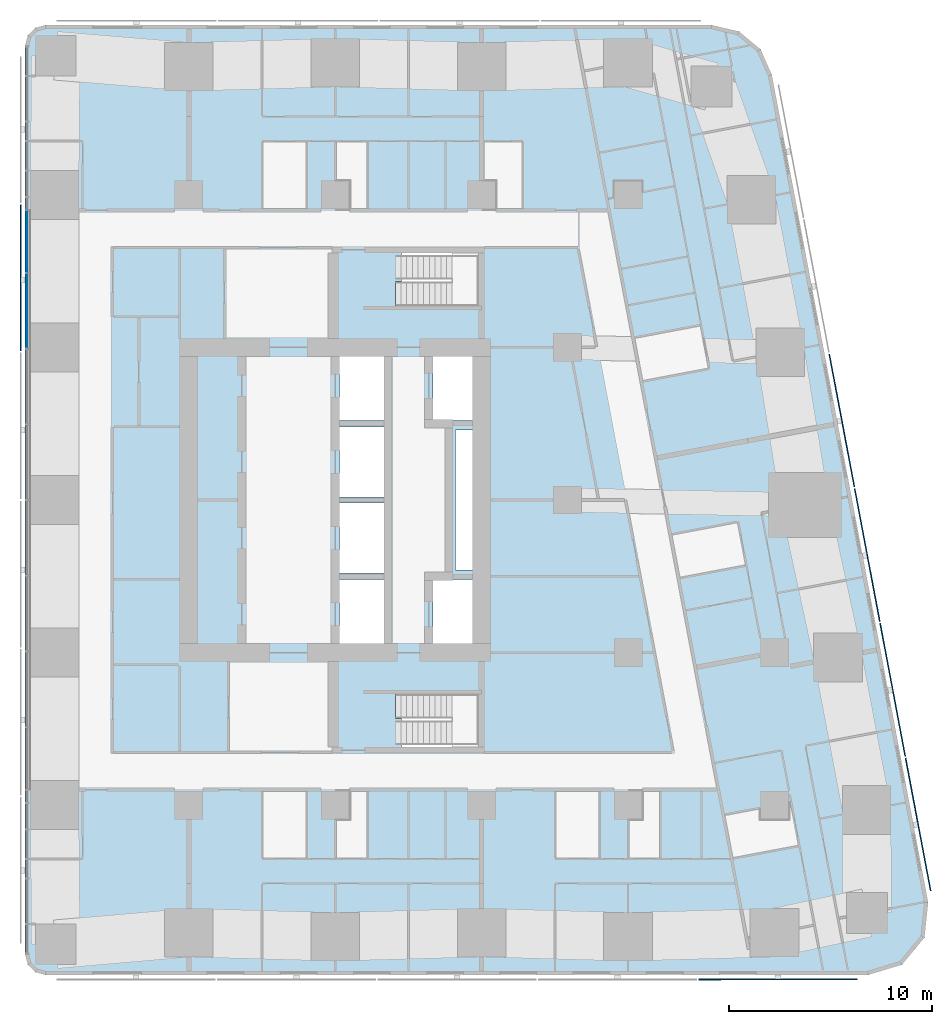
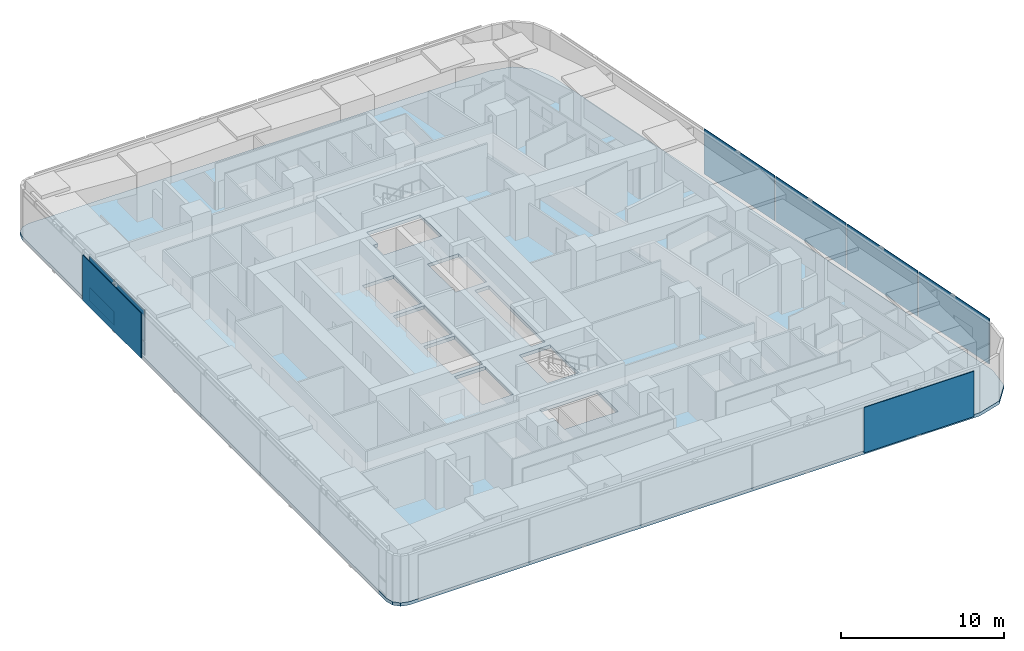
# One storey, part 8 of 19: 10 plates, 1 slab, 1 element without a shape of its own.
"""IFC4 building model written with IfcOpenShell, lengths in metres."""

from ifc_helpers import new_model, si_unit, direction, frame, origin, origin_2d, place, context, subcontext, project, spatial, polyline, rectangle, outline, extrude, material, layer, layer_set, type_object, element, aggregate, save


model = new_model("IFC4")

# Units and contexts
model_context = context("Model", 3, precision=1e-05, world=origin(), true_north=direction((0.0, 1.0)))
body_context = subcontext(model_context, "Body", "Model", "MODEL_VIEW")
ifc_project = project(units=[si_unit("LENGTHUNIT", "METRE"), si_unit("AREAUNIT", "SQUARE_METRE"), si_unit("VOLUMEUNIT", "CUBIC_METRE"), si_unit("PLANEANGLEUNIT", "RADIAN"), si_unit("MASSUNIT", "GRAM", prefix="KILO")], contexts=[model_context])

# Site, building, storey
site_placement = place(None, origin())
site = spatial("IfcSite", under=ifc_project, at=site_placement, CompositionType="ELEMENT")
building_placement = place(site_placement, origin())
building = spatial("IfcBuilding", under=site, at=building_placement, Name="Sheger Commons Tower", CompositionType="ELEMENT")
storey_placement = place(building_placement, frame((0.0, 0.0, 201.199951171875)))
storey = spatial("IfcBuildingStorey", under=building, at=storey_placement, Name="L51", CompositionType="ELEMENT", Elevation=201.199951171875)

# Curtain wall, plates
ifc_material_1 = material(Name="Black aluminium curtain wall, dark tinted glazing", Category="aluminium")
curtain_wall_type = type_object("IfcCurtainWallType", Name="CURTAIN WALL CW4 GALLERY", PredefinedType="USERDEFINED", material=ifc_material_1)
curtain_wall_placement = place(storey_placement, origin())
curtain_wall = element("IfcCurtainWall", 1, at=curtain_wall_placement, inside=storey, type_object=curtain_wall_type, Name="Curtain Wall Cw4 Gallery W1 L51", ObjectType="UNITISED CURTAIN WALL", PredefinedType="USERDEFINED")
ifc_material_2 = material(Name="Dark tinted double glazing", Category="glass")
ifc_layer_1 = layer(ifc_material_2, 0.031982421875)
ifc_layer_set_1 = layer_set([ifc_layer_1], Name="GLAZED PANEL 32")
plate_type_1 = type_object("IfcPlateType", Name="GLAZED PANEL 32", PredefinedType="CURTAIN_PANEL", material=ifc_layer_set_1)
plate_1_placement = place(storey_placement, frame((6.449951171875, 35.208984375, 0.065185546875), z_axis=(0.0, 0.0, 1.0), x_axis=(0.0, -1.0, 0.0)))
plate_1 = element("IfcPlate", 2, at=plate_1_placement, type_object=plate_type_1, Name="CW4 panel 7.1", PredefinedType="CURTAIN_PANEL", context=body_context, shape_type="SweptSolid", body=[
    extrude(rectangle(XDim=3.01708984375, YDim=0.031982421875, at=origin_2d()), origin(), (0.0, 0.0, 1.0), 1.00244140625),
])
plate_2_placement = place(storey_placement, frame((6.449951171875, 35.208984375, 1.13232421875), z_axis=(0.0, 0.0, 1.0), x_axis=(0.0, -1.0, 0.0)))
plate_2 = element("IfcPlate", 3, at=plate_2_placement, type_object=plate_type_1, Name="CW4 panel 7.2", PredefinedType="CURTAIN_PANEL", context=body_context, shape_type="SweptSolid", body=[
    extrude(rectangle(XDim=3.01708984375, YDim=0.031982421875, at=origin_2d()), origin(), (0.0, 0.0, 1.0), 2.302490234375),
])
plate_3_placement = place(storey_placement, frame((6.449951171875, 31.806884765625, 0.065185546875), z_axis=(0.0, 0.0, 1.0), x_axis=(0.0, -1.0, 0.0)))
plate_3 = element("IfcPlate", 4, at=plate_3_placement, type_object=plate_type_1, Name="CW4 panel 8.1", PredefinedType="CURTAIN_PANEL", context=body_context, shape_type="SweptSolid", body=[
    extrude(rectangle(XDim=3.656982421875, YDim=0.031982421875, at=origin_2d()), origin(), (0.0, 0.0, 1.0), 1.00244140625),
])
plate_4_placement = place(storey_placement, frame((6.449951171875, 31.806884765625, 1.13232421875), z_axis=(0.0, 0.0, 1.0), x_axis=(0.0, -1.0, 0.0)))
plate_4 = element("IfcPlate", 5, at=plate_4_placement, type_object=plate_type_1, Name="CW4 panel 8.2", PredefinedType="CURTAIN_PANEL", context=body_context, shape_type="SweptSolid", body=[
    extrude(rectangle(XDim=3.656982421875, YDim=0.031982421875, at=origin_2d()), origin(), (0.0, 0.0, 1.0), 2.302490234375),
])
aggregate(curtain_wall, [plate_1, plate_2, plate_3, plate_4])

# Slab
ifc_material_3 = material(Name="Concrete C35/45", Category="concrete")
ifc_layer_2 = layer(ifc_material_3, 0.25)
ifc_layer_set_2 = layer_set([ifc_layer_2], Name="SLAB FLOOR 250")
slab_type = type_object("IfcSlabType", Name="SLAB FLOOR 250", PredefinedType="FLOOR", material=ifc_layer_set_2)
slab_placement = place(storey_placement, frame((0.0, 0.0, -0.25)))
element("IfcSlab", 6, at=slab_placement, inside=storey, type_object=slab_type, Name="L51 floor slab", PredefinedType="FLOOR", context=body_context, shape_type="SweptSolid", body=[
    extrude(outline(polyline([(6.35009765625, 0.14990234375), (6.48388671875, -0.35009765625), (6.85009765625, -0.716064453125), (7.35009765625, -0.85009765625), (47.805908203125, -0.85009765625), (49.465087890625, -0.35009765625), (50.570068359375, 0.98388671875), (50.75390625, 2.70703125), (43.06591796875, 43.406982421875), (42.509033203125, 44.660888671875), (41.452880859375, 45.535888671875), (40.117919921875, 45.85009765625), (7.35009765625, 45.85009765625), (6.85009765625, 45.716064453125), (6.48388671875, 45.35009765625), (6.35009765625, 44.85009765625), (6.35009765625, 0.14990234375)]), holes=[polyline([(24.85009765625, 10.35009765625), (28.64990234375, 10.35009765625), (28.64990234375, 12.949951171875), (24.551025390625, 12.949951171875), (24.551025390625, 11.75), (24.85009765625, 11.75), (24.85009765625, 10.35009765625)]), polyline([(24.551025390625, 32.050048828125), (28.64990234375, 32.050048828125), (28.64990234375, 34.64990234375), (24.85009765625, 34.64990234375), (24.85009765625, 33.25), (24.551025390625, 33.25), (24.551025390625, 32.050048828125)]), polyline([(26.39990234375, 15.14990234375), (28.60009765625, 15.14990234375), (28.60009765625, 18.60009765625), (26.39990234375, 18.60009765625), (26.39990234375, 15.14990234375)]), polyline([(26.39990234375, 26.39990234375), (28.60009765625, 26.39990234375), (28.60009765625, 29.85009765625), (26.39990234375, 29.85009765625), (26.39990234375, 26.39990234375)]), polyline([(21.800048828125, 15.14990234375), (24.0, 15.14990234375), (24.0, 18.60009765625), (21.800048828125, 18.60009765625), (21.800048828125, 15.14990234375)]), polyline([(21.800048828125, 18.89990234375), (24.0, 18.89990234375), (24.0, 22.35009765625), (21.800048828125, 22.35009765625), (21.800048828125, 18.89990234375)]), polyline([(21.800048828125, 22.64990234375), (24.0, 22.64990234375), (24.0, 26.10009765625), (21.800048828125, 26.10009765625), (21.800048828125, 22.64990234375)]), polyline([(21.800048828125, 26.39990234375), (24.0, 26.39990234375), (24.0, 29.85009765625), (21.800048828125, 29.85009765625), (21.800048828125, 26.39990234375)]), polyline([(27.5, 19.050048828125), (28.5, 19.050048828125), (28.5, 25.949951171875), (27.5, 25.949951171875), (27.5, 19.050048828125)])]), origin(), (0.0, 0.0, 1.0), 0.25),
])

# Plates
ifc_material_4 = material(Name="Perforated black anodised aluminium screen", Category="aluminium")
ifc_layer_3 = layer(ifc_material_4, 0.050048828125)
ifc_layer_set_3 = layer_set([ifc_layer_3], Name="SOLAR SCREEN SCREEN-1")
plate_type_2 = type_object("IfcPlateType", Name="SOLAR SCREEN SCREEN-1", PredefinedType="USERDEFINED", material=ifc_layer_set_3)
plate_5_placement = place(storey_placement, frame((43.360107421875, -1.074951171875, 0.050048828125), z_axis=(0.0, 0.0, 1.0), x_axis=(1.0, 0.0, 0.0)))
element("IfcPlate", 7, at=plate_5_placement, inside=storey, type_object=plate_type_2, Name="Perforated solar screen panel", ObjectType="SCREEN", PredefinedType="USERDEFINED", context=body_context, shape_type="SweptSolid", body=[
    extrude(rectangle(XDim=7.791015625, YDim=0.050048828125, at=origin_2d()), origin(), (0.0, 0.0, 1.0), 3.39990234375),
])
for number, where, z_axis, x_axis, name in (
    (8, (50.257080078125, 6.550048828125, 0.050048828125), (0.0, 0.0, 1.0), (-0.185615165645, 0.982622516678, 0.0), "Perforated solar screen panel"),
    (9, (49.007080078125, 13.1689453125, 0.050048828125), (0.0, 0.0, 1.0), (-0.185615165645, 0.982622516678, 0.0), "Perforated solar screen panel"),
    (10, (47.756103515625, 19.7890625, 0.050048828125), (0.0, 0.0, 1.0), (-0.185615165645, 0.982622516678, 0.0), "Perforated solar screen panel"),
    (11, (46.506103515625, 26.408935546875, 0.050048828125), (0.0, 0.0, 1.0), (-0.185615165645, 0.982622516678, 0.0), "Perforated solar screen panel"),
):
    element("IfcPlate", number, at=place(storey_placement, frame(where, z_axis=z_axis, x_axis=x_axis)), inside=storey, type_object=plate_type_2, Name=name, ObjectType="SCREEN", PredefinedType="USERDEFINED", context=body_context, shape_type="SweptSolid", body=[
        extrude(rectangle(XDim=6.636962890625, YDim=0.050048828125, at=origin_2d()), origin(), (0.0, 0.0, 1.0), 3.39990234375),
    ])
plate_6_placement = place(storey_placement, frame((6.125, 33.425048828125, 0.050048828125), z_axis=(0.0, 0.0, 1.0), x_axis=(0.0, -1.0, 0.0)))
element("IfcPlate", 12, at=plate_6_placement, inside=storey, type_object=plate_type_2, Name="Perforated solar screen panel", ObjectType="SCREEN", PredefinedType="USERDEFINED", context=body_context, shape_type="SweptSolid", body=[
    extrude(rectangle(XDim=7.18310546875, YDim=0.050048828125, at=origin_2d()), origin(), (0.0, 0.0, 1.0), 3.39990234375),
])

save(model, "model.ifc")
